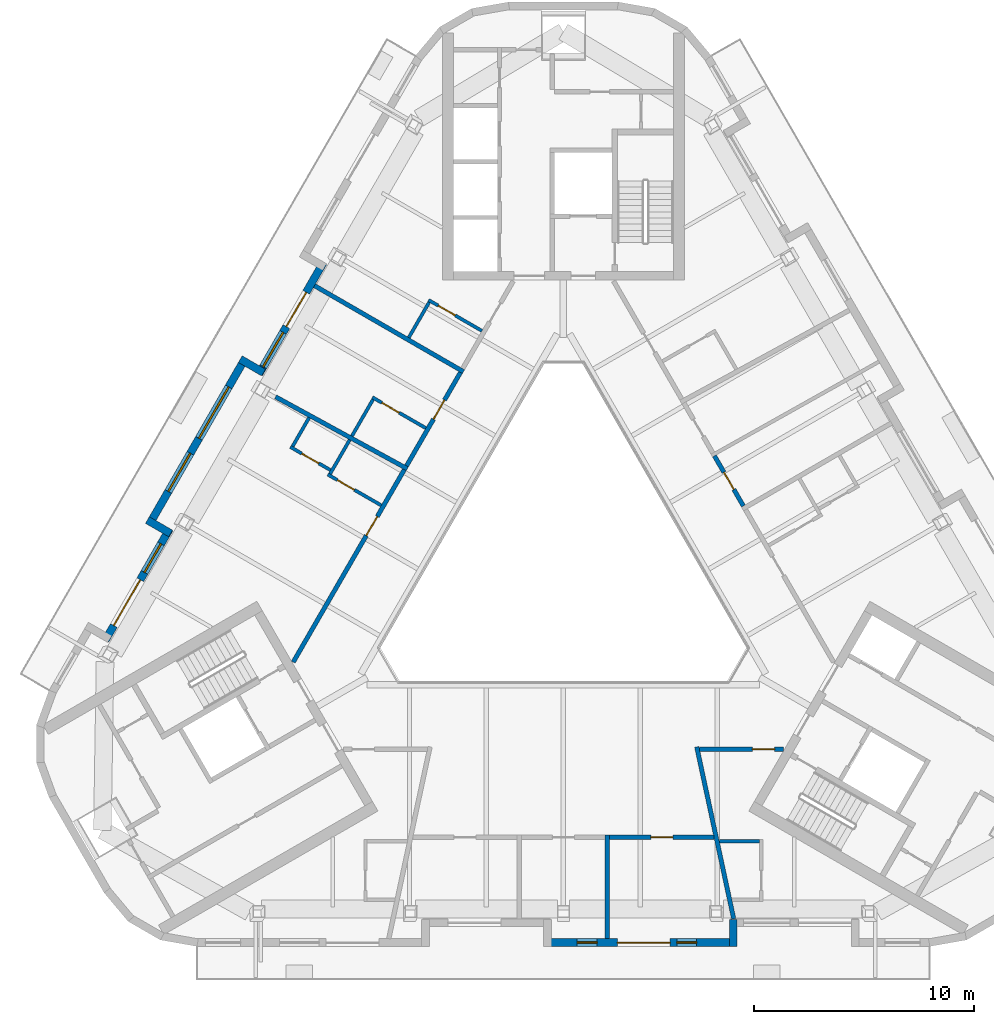
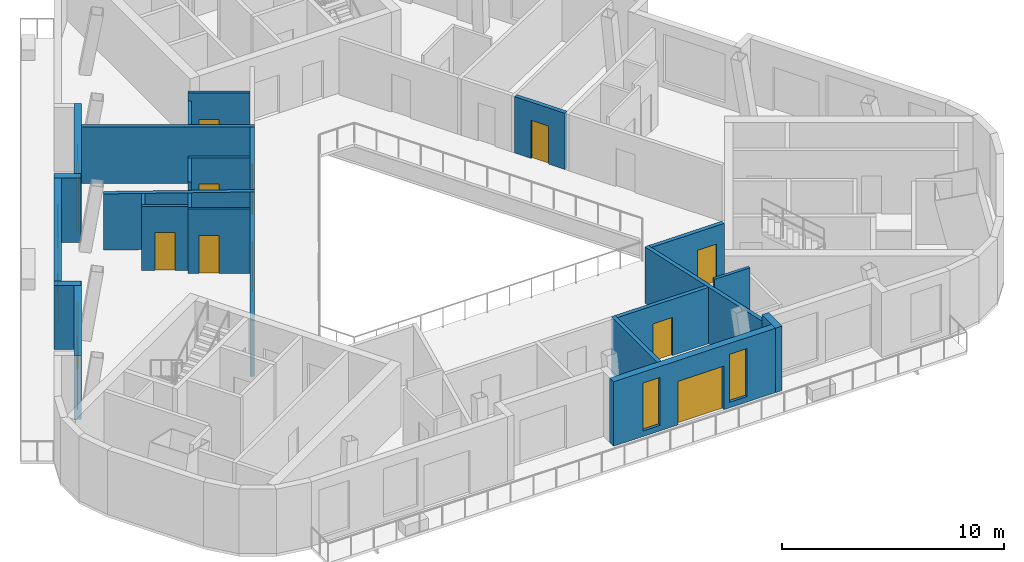
# One storey, part 4 of 13: 25 walls, 12 doors, 6 windows, 18 openings.
"""IFC4 building model written with IfcOpenShell, lengths in metres."""

from ifc_helpers import new_model, si_unit, direction, frame, frame_2d, origin, place, context, subcontext, project, spatial, rectangle, extrude, material, layer, layer_set, type_object, element, fill, save


model = new_model("IFC4")

# Units and contexts
model_context = context("Model", 3, precision=1e-05, world=origin(), true_north=direction((0.0, 1.0)))
body_context = subcontext(model_context, "Body", "Model", "MODEL_VIEW")
ifc_project = project(units=[si_unit("LENGTHUNIT", "METRE"), si_unit("AREAUNIT", "SQUARE_METRE"), si_unit("VOLUMEUNIT", "CUBIC_METRE"), si_unit("PLANEANGLEUNIT", "RADIAN"), si_unit("MASSUNIT", "GRAM", prefix="KILO")], contexts=[model_context])

# Site, building, storey
site_placement = place(None, origin())
site = spatial("IfcSite", under=ifc_project, at=site_placement, CompositionType="ELEMENT")
building_placement = place(site_placement, origin())
building = spatial("IfcBuilding", under=site, at=building_placement, Name="Apuvela Tower Hotel", CompositionType="ELEMENT")
storey_placement = place(building_placement, frame((0.0, 0.0, 298.5)))
storey = spatial("IfcBuildingStorey", under=building, at=storey_placement, Name="L74", CompositionType="ELEMENT", Elevation=298.5)

# Wall, openings, door, window
ifc_material_1 = material(Name="Concrete C40/50, dark pigmented precast panel", Category="concrete")
ifc_layer_1 = layer(ifc_material_1, 0.35009765625)
ifc_layer_set_1 = layer_set([ifc_layer_1], Name="ENV-WALL-350")
wall_type_1 = type_object("IfcWallType", Name="ENV-WALL-350", PredefinedType="SOLIDWALL", material=ifc_layer_set_1)
wall_1_placement = place(storey_placement, frame((-10.901123046875, 13.692138671875, 0.0), z_axis=(0.0, 0.0, 1.0), x_axis=(-0.499987198161, -0.866032794804, 0.0)))
wall_1 = element("IfcWall", 1, at=wall_1_placement, inside=storey, type_object=wall_type_1, Name="External wall L74-03", PredefinedType="SOLIDWALL", context=body_context, shape_type="SweptSolid", body=[
    extrude(rectangle(XDim=5.827392578125, YDim=0.35009765625, at=frame_2d((2.91357421875, 0.0))), origin(), (0.0, 0.0, 1.0), 3.550048828125),
])
opening_1_placement = place(wall_1_placement, frame((1.556884765625, 0.0, 0.0)))
opening_1 = element("IfcOpeningElement", 2, at=opening_1_placement, cuts=wall_1, Name="Opening BD18", PredefinedType="OPENING", context=body_context, shape_type="SweptSolid", body=[
    extrude(rectangle(XDim=1.800048828125, YDim=2.39990234375, at=frame_2d((0.89990234375, 1.199951171875))), frame((0.0, 0.18505859375, 0.0), z_axis=(0.0, -1.0, 0.0), x_axis=(1.0, 0.0, 0.0)), (0.0, 0.0, 1.0), 0.3701171875),
])
opening_2_placement = place(wall_1_placement, frame((3.656982421875, 0.0, 0.300048828125)))
opening_2 = element("IfcOpeningElement", 3, at=opening_2_placement, cuts=wall_1, Name="Opening WN18", PredefinedType="OPENING", context=body_context, shape_type="SweptSolid", body=[
    extrude(rectangle(XDim=1.800048828125, YDim=2.64990234375, at=frame_2d((0.89990234375, 1.324951171875))), frame((0.0, 0.18505859375, 0.0), z_axis=(0.0, -1.0, 0.0), x_axis=(1.0, 0.0, 0.0)), (0.0, 0.0, 1.0), 0.3701171875),
])
ifc_material_2 = material(Name="Aluminium 6063-T6, dark bronze anodised frame with dark tinted laminated glass", Category="aluminium")
door_type_1 = type_object("IfcDoorType", Name="ENV-DOOR-BALCONY-1800x2400", OperationType="SLIDING_TO_LEFT", PredefinedType="DOOR", material=ifc_material_2)
door_1_placement = place(opening_1_placement, frame((1.800048828125, 0.0, 0.0), z_axis=(0.0, 0.0, 1.0), x_axis=(-1.0, 0.0, 0.0)))
door_1 = element("IfcDoor", 4, at=door_1_placement, inside=storey, type_object=door_type_1, Name="Balcony door BD18", OperationType="SLIDING_TO_LEFT", OverallHeight=2.39990234375, OverallWidth=1.800048828125, PredefinedType="DOOR", context=body_context, shape_type="SweptSolid", body=[
    extrude(rectangle(XDim=1.800048828125, YDim=2.39990234375, at=frame_2d((0.89990234375, 1.199951171875))), frame((0.0, 0.02490234375, 0.0), z_axis=(0.0, -1.0, 0.0), x_axis=(1.0, 0.0, 0.0)), (0.0, 0.0, 1.0), 0.050048828125),
])
fill(opening_1, door_1)
ifc_material_3 = material(Name="Glass, dark tinted laminated insulated glazing unit", Category="glass")
window_type_1 = type_object("IfcWindowType", Name="ENV-WIN-1800x2650", PartitioningType="SINGLE_PANEL", PredefinedType="WINDOW", material=ifc_material_3)
window_1_placement = place(opening_2_placement, origin())
window_1 = element("IfcWindow", 5, at=window_1_placement, inside=storey, type_object=window_type_1, Name="Window WN18", OverallHeight=2.64990234375, OverallWidth=1.800048828125, PartitioningType="SINGLE_PANEL", PredefinedType="WINDOW", context=body_context, shape_type="SweptSolid", body=[
    extrude(rectangle(XDim=1.800048828125, YDim=2.64990234375, at=frame_2d((0.89990234375, 1.324951171875))), frame((0.0, 0.030029296875, 0.0), z_axis=(0.0, -1.0, 0.0), x_axis=(1.0, 0.0, 0.0)), (0.0, 0.0, 1.0), 0.06005859375),
])
fill(opening_2, window_1)

# Wall
wall_2_placement = place(storey_placement, frame((-13.616455078125, 8.698486328125, 0.0), z_axis=(0.0, 0.0, 1.0), x_axis=(-0.866005645448, 0.500034220881, 0.0)))
element("IfcWall", 6, at=wall_2_placement, inside=storey, type_object=wall_type_1, Name="External wall L74-04", PredefinedType="SOLIDWALL", context=body_context, shape_type="SweptSolid", body=[
    extrude(rectangle(XDim=1.22021484375, YDim=0.35009765625, at=frame_2d((0.610107421875, 0.0))), origin(), (0.0, 0.0, 1.0), 3.550048828125),
])

# Wall, openings, windows
wall_3_placement = place(storey_placement, frame((-14.43408203125, 9.372802734375, 0.0), z_axis=(0.0, 0.0, 1.0), x_axis=(-0.499999835575, -0.866025498715, 0.0)))
wall_3 = element("IfcWall", 7, at=wall_3_placement, inside=storey, type_object=wall_type_1, Name="External wall L74-05", PredefinedType="SOLIDWALL", context=body_context, shape_type="SweptSolid", body=[
    extrude(rectangle(XDim=8.787109375, YDim=0.35009765625, at=frame_2d((4.3935546875, 0.0))), origin(), (0.0, 0.0, 1.0), 3.550048828125),
])
opening_3_placement = place(wall_3_placement, frame((1.528076171875, 0.0, 0.300048828125)))
opening_3 = element("IfcOpeningElement", 8, at=opening_3_placement, cuts=wall_3, Name="Opening WN27", PredefinedType="OPENING", context=body_context, shape_type="SweptSolid", body=[
    extrude(rectangle(XDim=2.699951171875, YDim=2.64990234375, at=frame_2d((1.35009765625, 1.324951171875))), frame((0.0, 0.18505859375, 0.0), z_axis=(0.0, -1.0, 0.0), x_axis=(1.0, 0.0, 0.0)), (0.0, 0.0, 1.0), 0.3701171875),
])
opening_4_placement = place(wall_3_placement, frame((5.012939453125, 0.0, 0.300048828125)))
opening_4 = element("IfcOpeningElement", 9, at=opening_4_placement, cuts=wall_3, Name="Opening WN20", PredefinedType="OPENING", context=body_context, shape_type="SweptSolid", body=[
    extrude(rectangle(XDim=2.0, YDim=2.64990234375, at=frame_2d((1.0, 1.324951171875))), frame((0.0, 0.18505859375, 0.0), z_axis=(0.0, -1.0, 0.0), x_axis=(1.0, 0.0, 0.0)), (0.0, 0.0, 1.0), 0.3701171875),
])
window_type_2 = type_object("IfcWindowType", Name="ENV-WIN-2000x2650", PartitioningType="SINGLE_PANEL", PredefinedType="WINDOW", material=ifc_material_3)
window_2_placement = place(opening_4_placement, origin())
window_2 = element("IfcWindow", 10, at=window_2_placement, inside=storey, type_object=window_type_2, Name="Window WN20", OverallHeight=2.64990234375, OverallWidth=2.0, PartitioningType="SINGLE_PANEL", PredefinedType="WINDOW", context=body_context, shape_type="SweptSolid", body=[
    extrude(rectangle(XDim=2.0, YDim=2.64990234375, at=frame_2d((1.0, 1.324951171875))), frame((0.0, 0.030029296875, 0.0), z_axis=(0.0, -1.0, 0.0), x_axis=(1.0, 0.0, 0.0)), (0.0, 0.0, 1.0), 0.06005859375),
])
fill(opening_4, window_2)
window_type_3 = type_object("IfcWindowType", Name="ENV-WIN-2700x2650", PartitioningType="SINGLE_PANEL", PredefinedType="WINDOW", material=ifc_material_3)
window_3_placement = place(opening_3_placement, origin())
window_3 = element("IfcWindow", 11, at=window_3_placement, inside=storey, type_object=window_type_3, Name="Window WN27", OverallHeight=2.64990234375, OverallWidth=2.699951171875, PartitioningType="SINGLE_PANEL", PredefinedType="WINDOW", context=body_context, shape_type="SweptSolid", body=[
    extrude(rectangle(XDim=2.699951171875, YDim=2.64990234375, at=frame_2d((1.35009765625, 1.324951171875))), frame((0.0, 0.030029296875, 0.0), z_axis=(0.0, -1.0, 0.0), x_axis=(1.0, 0.0, 0.0)), (0.0, 0.0, 1.0), 0.06005859375),
])
fill(opening_3, window_3)

# Wall
wall_4_placement = place(storey_placement, frame((-18.8916015625, 2.001953125, 0.0), z_axis=(0.0, 0.0, 1.0), x_axis=(0.866042269935, -0.499970785833, 0.0)))
element("IfcWall", 12, at=wall_4_placement, inside=storey, type_object=wall_type_1, Name="External wall L74-06", PredefinedType="SOLIDWALL", context=body_context, shape_type="SweptSolid", body=[
    extrude(rectangle(XDim=1.2197265625, YDim=0.35009765625, at=frame_2d((0.60986328125, 0.0))), origin(), (0.0, 0.0, 1.0), 3.550048828125),
])

# Wall, openings, door, window
wall_5_placement = place(storey_placement, frame((-17.88818359375, 1.590087890625, 0.0), z_axis=(0.0, 0.0, 1.0), x_axis=(-0.499987198161, -0.866032794804, 0.0)))
wall_5 = element("IfcWall", 13, at=wall_5_placement, inside=storey, type_object=wall_type_1, Name="External wall L74-07", PredefinedType="SOLIDWALL", context=body_context, shape_type="SweptSolid", body=[
    extrude(rectangle(XDim=5.827392578125, YDim=0.35009765625, at=frame_2d((2.91357421875, 0.0))), origin(), (0.0, 0.0, 1.0), 3.550048828125),
])
opening_5_placement = place(wall_5_placement, frame((2.6572265625, 0.0, 0.0)))
opening_5 = element("IfcOpeningElement", 14, at=opening_5_placement, cuts=wall_5, Name="Opening BD24", PredefinedType="OPENING", context=body_context, shape_type="SweptSolid", body=[
    extrude(rectangle(XDim=2.39990234375, YDim=2.39990234375, at=frame_2d((1.199951171875, 1.199951171875))), frame((0.0, 0.18505859375, 0.0), z_axis=(0.0, -1.0, 0.0), x_axis=(1.0, 0.0, 0.0)), (0.0, 0.0, 1.0), 0.3701171875),
])
opening_6_placement = place(wall_5_placement, frame((0.77001953125, 0.0, 0.300048828125)))
opening_6 = element("IfcOpeningElement", 15, at=opening_6_placement, cuts=wall_5, Name="Opening WN15", PredefinedType="OPENING", context=body_context, shape_type="SweptSolid", body=[
    extrude(rectangle(XDim=1.5, YDim=2.64990234375, at=frame_2d((0.75, 1.324951171875))), frame((0.0, 0.18505859375, 0.0), z_axis=(0.0, -1.0, 0.0), x_axis=(1.0, 0.0, 0.0)), (0.0, 0.0, 1.0), 0.3701171875),
])
door_type_2 = type_object("IfcDoorType", Name="ENV-DOOR-BALCONY-2400x2400", OperationType="SLIDING_TO_LEFT", PredefinedType="DOOR", material=ifc_material_2)
door_2_placement = place(opening_5_placement, frame((2.39990234375, 0.0, 0.0), z_axis=(0.0, 0.0, 1.0), x_axis=(-1.0, 0.0, 0.0)))
door_2 = element("IfcDoor", 16, at=door_2_placement, inside=storey, type_object=door_type_2, Name="Balcony door BD24", OperationType="SLIDING_TO_LEFT", OverallHeight=2.39990234375, OverallWidth=2.39990234375, PredefinedType="DOOR", context=body_context, shape_type="SweptSolid", body=[
    extrude(rectangle(XDim=2.39990234375, YDim=2.39990234375, at=frame_2d((1.199951171875, 1.199951171875))), frame((0.0, 0.02490234375, 0.0), z_axis=(0.0, -1.0, 0.0), x_axis=(1.0, 0.0, 0.0)), (0.0, 0.0, 1.0), 0.050048828125),
])
fill(opening_5, door_2)
window_type_4 = type_object("IfcWindowType", Name="ENV-WIN-1500x2650", PartitioningType="SINGLE_PANEL", PredefinedType="WINDOW", material=ifc_material_3)
window_4_placement = place(opening_6_placement, origin())
window_4 = element("IfcWindow", 17, at=window_4_placement, inside=storey, type_object=window_type_4, Name="Window WN15", OverallHeight=2.64990234375, OverallWidth=1.5, PartitioningType="SINGLE_PANEL", PredefinedType="WINDOW", context=body_context, shape_type="SweptSolid", body=[
    extrude(rectangle(XDim=1.5, YDim=2.64990234375, at=frame_2d((0.75, 1.324951171875))), frame((0.0, 0.030029296875, 0.0), z_axis=(0.0, -1.0, 0.0), x_axis=(1.0, 0.0, 0.0)), (0.0, 0.0, 1.0), 0.06005859375),
])
fill(opening_6, window_4)

# Wall, openings, door, windows
wall_6_placement = place(storey_placement, frame((-0.89990234375, -17.1865234375, 0.0), z_axis=(0.0, 0.0, 1.0), x_axis=(1.0, 0.0, 0.0)))
wall_6 = element("IfcWall", 18, at=wall_6_placement, inside=storey, type_object=wall_type_1, Name="External wall L74-21", PredefinedType="SOLIDWALL", context=body_context, shape_type="SweptSolid", body=[
    extrude(rectangle(XDim=8.787109375, YDim=0.35009765625, at=frame_2d((4.3935546875, 0.0))), origin(), (0.0, 0.0, 1.0), 3.550048828125),
])
opening_7_placement = place(wall_6_placement, frame((1.5283203125, 0.0, 0.300048828125)))
opening_7 = element("IfcOpeningElement", 19, at=opening_7_placement, cuts=wall_6, Name="Opening WN09", PredefinedType="OPENING", context=body_context, shape_type="SweptSolid", body=[
    extrude(rectangle(XDim=0.89990234375, YDim=2.64990234375, at=frame_2d((0.449951171875, 1.324951171875))), frame((0.0, 0.18505859375, 0.0), z_axis=(0.0, -1.0, 0.0), x_axis=(1.0, 0.0, 0.0)), (0.0, 0.0, 1.0), 0.3701171875),
])
opening_8_placement = place(wall_6_placement, frame((3.349609375, 0.0, 0.0)))
opening_8 = element("IfcOpeningElement", 20, at=opening_8_placement, cuts=wall_6, Name="Opening BD24", PredefinedType="OPENING", context=body_context, shape_type="SweptSolid", body=[
    extrude(rectangle(XDim=2.39990234375, YDim=2.39990234375, at=frame_2d((1.199951171875, 1.199951171875))), frame((0.0, 0.18505859375, 0.0), z_axis=(0.0, -1.0, 0.0), x_axis=(1.0, 0.0, 0.0)), (0.0, 0.0, 1.0), 0.3701171875),
])
opening_9_placement = place(wall_6_placement, frame((6.049560546875, 0.0, 0.300048828125)))
opening_9 = element("IfcOpeningElement", 21, at=opening_9_placement, cuts=wall_6, Name="Opening WN09", PredefinedType="OPENING", context=body_context, shape_type="SweptSolid", body=[
    extrude(rectangle(XDim=0.89990234375, YDim=2.64990234375, at=frame_2d((0.449951171875, 1.324951171875))), frame((0.0, 0.18505859375, 0.0), z_axis=(0.0, -1.0, 0.0), x_axis=(1.0, 0.0, 0.0)), (0.0, 0.0, 1.0), 0.3701171875),
])
door_3_placement = place(opening_8_placement, frame((2.39990234375, 0.0, 0.0), z_axis=(0.0, 0.0, 1.0), x_axis=(-1.0, 0.0, 0.0)))
door_3 = element("IfcDoor", 22, at=door_3_placement, inside=storey, type_object=door_type_2, Name="Balcony door BD24", OperationType="SLIDING_TO_LEFT", OverallHeight=2.39990234375, OverallWidth=2.39990234375, PredefinedType="DOOR", context=body_context, shape_type="SweptSolid", body=[
    extrude(rectangle(XDim=2.39990234375, YDim=2.39990234375, at=frame_2d((1.199951171875, 1.199951171875))), frame((0.0, 0.02490234375, 0.0), z_axis=(0.0, -1.0, 0.0), x_axis=(1.0, 0.0, 0.0)), (0.0, 0.0, 1.0), 0.050048828125),
])
fill(opening_8, door_3)
window_type_5 = type_object("IfcWindowType", Name="ENV-WIN-900x2650", PartitioningType="SINGLE_PANEL", PredefinedType="WINDOW", material=ifc_material_3)
window_5_placement = place(opening_7_placement, origin())
window_5 = element("IfcWindow", 23, at=window_5_placement, inside=storey, type_object=window_type_5, Name="Window WN09", OverallHeight=2.64990234375, OverallWidth=0.89990234375, PartitioningType="SINGLE_PANEL", PredefinedType="WINDOW", context=body_context, shape_type="SweptSolid", body=[
    extrude(rectangle(XDim=0.89990234375, YDim=2.64990234375, at=frame_2d((0.449951171875, 1.324951171875))), frame((0.0, 0.030029296875, 0.0), z_axis=(0.0, -1.0, 0.0), x_axis=(1.0, 0.0, 0.0)), (0.0, 0.0, 1.0), 0.06005859375),
])
fill(opening_7, window_5)
window_6_placement = place(opening_9_placement, origin())
window_6 = element("IfcWindow", 24, at=window_6_placement, inside=storey, type_object=window_type_5, Name="Window WN09", OverallHeight=2.64990234375, OverallWidth=0.89990234375, PartitioningType="SINGLE_PANEL", PredefinedType="WINDOW", context=body_context, shape_type="SweptSolid", body=[
    extrude(rectangle(XDim=0.89990234375, YDim=2.64990234375, at=frame_2d((0.449951171875, 1.324951171875))), frame((0.0, 0.030029296875, 0.0), z_axis=(0.0, -1.0, 0.0), x_axis=(1.0, 0.0, 0.0)), (0.0, 0.0, 1.0), 0.06005859375),
])
fill(opening_9, window_6)

# Walls
wall_7_placement = place(storey_placement, frame((7.712158203125, -17.361572265625, 0.0), z_axis=(0.0, 0.0, 1.0), x_axis=(0.0, 1.0, 0.0)))
element("IfcWall", 25, at=wall_7_placement, inside=storey, type_object=wall_type_1, Name="External wall L74-22", PredefinedType="SOLIDWALL", context=body_context, shape_type="SweptSolid", body=[
    extrude(rectangle(XDim=1.219970703125, YDim=0.35009765625, at=frame_2d((0.60986328125, 0.0))), origin(), (0.0, 0.0, 1.0), 3.550048828125),
])
ifc_material_4 = material(Name="Gypsum board partition on twin steel stud", Category="steel")
ifc_layer_2 = layer(ifc_material_4, 0.199951171875)
ifc_layer_set_2 = layer_set([ifc_layer_2], Name="GST-PW1")
wall_type_2 = type_object("IfcWallType", Name="GST-PW1", PredefinedType="PARTITIONING", material=ifc_layer_set_2)
wall_8_placement = place(storey_placement, frame((2.0, -17.01171875, 0.0), z_axis=(0.0, 0.0, 1.0), x_axis=(0.0, 1.0, 0.0)))
element("IfcWall", 26, at=wall_8_placement, inside=storey, type_object=wall_type_2, Name="L74 partition 03", PredefinedType="PARTITIONING", context=body_context, shape_type="SweptSolid", body=[
    extrude(rectangle(XDim=4.7001953125, YDim=0.199951171875, at=frame_2d((2.35009765625, 0.0))), origin(), (0.0, 0.0, 1.0), 3.10009765625),
])
wall_9_placement = place(storey_placement, frame((7.736572265625, -16.111572265625, 0.0), z_axis=(0.0, 0.0, 1.0), x_axis=(-0.210221826162, 0.977653713646, 0.0)))
element("IfcWall", 27, at=wall_9_placement, inside=storey, type_object=wall_type_2, Name="L74 partition 04", PredefinedType="PARTITIONING", context=body_context, shape_type="SweptSolid", body=[
    extrude(rectangle(XDim=7.989990234375, YDim=0.199951171875, at=frame_2d((3.9951171875, 0.0))), origin(), (0.0, 0.0, 1.0), 3.10009765625),
])
wall_10_placement = place(storey_placement, frame((-11.302978515625, 12.645751953125, 0.0), z_axis=(0.0, 0.0, 1.0), x_axis=(0.866022678253, -0.500004720729, 0.0)))
element("IfcWall", 28, at=wall_10_placement, inside=storey, type_object=wall_type_2, Name="L74 partition 07", PredefinedType="PARTITIONING", context=body_context, shape_type="SweptSolid", body=[
    extrude(rectangle(XDim=7.8115234375, YDim=0.199951171875, at=frame_2d((3.90576171875, 0.0))), origin(), (0.0, 0.0, 1.0), 3.10009765625),
])
wall_11_placement = place(storey_placement, frame((-13.06884765625, 7.5966796875, 0.0), z_axis=(0.0, 0.0, 1.0), x_axis=(0.877540903987, -0.479501785012, 0.0)))
element("IfcWall", 29, at=wall_11_placement, inside=storey, type_object=wall_type_2, Name="L74 partition 08", PredefinedType="PARTITIONING", context=body_context, shape_type="SweptSolid", body=[
    extrude(rectangle(XDim=6.818115234375, YDim=0.199951171875, at=frame_2d((3.4091796875, 0.0))), origin(), (0.0, 0.0, 1.0), 3.10009765625),
])

# Wall, opening, door
ifc_material_5 = material(Name="Gypsum board corridor wall on twin steel stud, acoustic", Category="steel")
ifc_layer_3 = layer(ifc_material_5, 0.199951171875)
ifc_layer_set_3 = layer_set([ifc_layer_3], Name="GST-PW2")
wall_type_3 = type_object("IfcWallType", Name="GST-PW2", PredefinedType="PARTITIONING", material=ifc_layer_set_3)
wall_12_placement = place(storey_placement, frame((6.838623046875, -12.41162109375, 0.0), z_axis=(0.0, 0.0, 1.0), x_axis=(-1.0, 0.0, 0.0)))
wall_12 = element("IfcWall", 30, at=wall_12_placement, inside=storey, type_object=wall_type_3, Name="L74 partition 15", PredefinedType="PARTITIONING", context=body_context, shape_type="SweptSolid", body=[
    extrude(rectangle(XDim=4.738525390625, YDim=0.199951171875, at=frame_2d((2.369140625, 0.0))), origin(), (0.0, 0.0, 1.0), 3.10009765625),
])
opening_10_placement = place(wall_12_placement, frame((1.869384765625, 0.0, 0.0)))
opening_10 = element("IfcOpeningElement", 31, at=opening_10_placement, cuts=wall_12, Name="Opening GD30-05", PredefinedType="OPENING", context=body_context, shape_type="SweptSolid", body=[
    extrude(rectangle(XDim=1.0, YDim=2.10009765625, at=frame_2d((0.5, 1.050048828125))), frame((0.0, 0.10986328125, 0.0), z_axis=(0.0, -1.0, 0.0), x_axis=(1.0, 0.0, 0.0)), (0.0, 0.0, 1.0), 0.219970703125),
])
ifc_material_6 = material(Name="Timber door leaf in steel frame", Category="steel")
door_type_3 = type_object("IfcDoorType", Name="GST-D1", OperationType="NOTDEFINED", PredefinedType="DOOR", material=ifc_material_6)
door_4_placement = place(opening_10_placement, origin())
door_4 = element("IfcDoor", 32, at=door_4_placement, inside=storey, type_object=door_type_3, Name="Door L74-05", OperationType="SINGLE_SWING_LEFT", OverallHeight=2.10009765625, OverallWidth=1.0, PredefinedType="DOOR", context=body_context, shape_type="SweptSolid", body=[
    extrude(rectangle(XDim=1.0, YDim=2.10009765625, at=frame_2d((0.5, 1.050048828125))), frame((0.0, 0.02490234375, 0.0), z_axis=(0.0, -1.0, 0.0), x_axis=(1.0, 0.0, 0.0)), (0.0, 0.0, 1.0), 0.050048828125),
])
fill(opening_10, door_4)

wall_13_placement = place(storey_placement, frame((9.98828125, -8.39990234375, 0.0), z_axis=(0.0, 0.0, 1.0), x_axis=(-1.0, 0.0, 0.0)))
wall_13 = element("IfcWall", 33, at=wall_13_placement, inside=storey, type_object=wall_type_3, Name="L74 partition 16", PredefinedType="PARTITIONING", context=body_context, shape_type="SweptSolid", body=[
    extrude(rectangle(XDim=3.807373046875, YDim=0.199951171875, at=frame_2d((1.90380859375, 0.0))), origin(), (0.0, 0.0, 1.0), 3.10009765625),
])
opening_11_placement = place(wall_13_placement, frame((0.39990234375, 0.0, 0.0)))
opening_11 = element("IfcOpeningElement", 34, at=opening_11_placement, cuts=wall_13, Name="Opening GD30-07", PredefinedType="OPENING", context=body_context, shape_type="SweptSolid", body=[
    extrude(rectangle(XDim=1.0, YDim=2.10009765625, at=frame_2d((0.5, 1.050048828125))), frame((0.0, 0.10986328125, 0.0), z_axis=(0.0, -1.0, 0.0), x_axis=(1.0, 0.0, 0.0)), (0.0, 0.0, 1.0), 0.219970703125),
])
door_5_placement = place(opening_11_placement, origin())
door_5 = element("IfcDoor", 35, at=door_5_placement, inside=storey, type_object=door_type_3, Name="Door L74-07", OperationType="SINGLE_SWING_LEFT", OverallHeight=2.10009765625, OverallWidth=1.0, PredefinedType="DOOR", context=body_context, shape_type="SweptSolid", body=[
    extrude(rectangle(XDim=1.0, YDim=2.10009765625, at=frame_2d((0.5, 1.050048828125))), frame((0.0, 0.02490234375, 0.0), z_axis=(0.0, -1.0, 0.0), x_axis=(1.0, 0.0, 0.0)), (0.0, 0.0, 1.0), 0.050048828125),
])
fill(opening_11, door_5)

wall_14_placement = place(storey_placement, frame((6.861572265625, 4.91552734375, 0.0), z_axis=(0.0, 0.0, 1.0), x_axis=(0.499958506883, -0.866049358521, 0.0)))
wall_14 = element("IfcWall", 36, at=wall_14_placement, inside=storey, type_object=wall_type_3, Name="L74 partition 26", PredefinedType="PARTITIONING", context=body_context, shape_type="SweptSolid", body=[
    extrude(rectangle(XDim=2.626220703125, YDim=0.199951171875, at=frame_2d((1.31298828125, 0.0))), origin(), (0.0, 0.0, 1.0), 3.10009765625),
])
opening_12_placement = place(wall_14_placement, frame((0.863037109375, 0.0, 0.0)))
opening_12 = element("IfcOpeningElement", 37, at=opening_12_placement, cuts=wall_14, Name="Opening GD30-11", PredefinedType="OPENING", context=body_context, shape_type="SweptSolid", body=[
    extrude(rectangle(XDim=0.89990234375, YDim=2.10009765625, at=frame_2d((0.449951171875, 1.050048828125))), frame((0.0, 0.10986328125, 0.0), z_axis=(0.0, -1.0, 0.0), x_axis=(1.0, 0.0, 0.0)), (0.0, 0.0, 1.0), 0.219970703125),
])
door_type_4 = type_object("IfcDoorType", Name="GST-D2", OperationType="NOTDEFINED", PredefinedType="DOOR", material=ifc_material_6)
door_6_placement = place(opening_12_placement, origin())
door_6 = element("IfcDoor", 38, at=door_6_placement, inside=storey, type_object=door_type_4, Name="Door L74-11", OperationType="SINGLE_SWING_LEFT", OverallHeight=2.10009765625, OverallWidth=0.89990234375, PredefinedType="DOOR", context=body_context, shape_type="SweptSolid", body=[
    extrude(rectangle(XDim=0.89990234375, YDim=2.10009765625, at=frame_2d((0.449951171875, 1.050048828125))), frame((0.0, 0.02490234375, 0.0), z_axis=(0.0, -1.0, 0.0), x_axis=(1.0, 0.0, 0.0)), (0.0, 0.0, 1.0), 0.050048828125),
])
fill(opening_12, door_6)

wall_15_placement = place(storey_placement, frame((-7.123291015625, 4.4619140625, 0.0), z_axis=(0.0, 0.0, 1.0), x_axis=(0.499988551067, 0.866032013728, 0.0)))
wall_15 = element("IfcWall", 39, at=wall_15_placement, inside=storey, type_object=wall_type_3, Name="L74 partition 34", PredefinedType="PARTITIONING", context=body_context, shape_type="SweptSolid", body=[
    extrude(rectangle(XDim=4.8974609375, YDim=0.199951171875, at=frame_2d((2.44873046875, 0.0))), origin(), (0.0, 0.0, 1.0), 3.10009765625),
])
opening_13_placement = place(wall_15_placement, frame((2.447509765625, 0.0, 0.0)))
opening_13 = element("IfcOpeningElement", 40, at=opening_13_placement, cuts=wall_15, Name="Opening GD30-18", PredefinedType="OPENING", context=body_context, shape_type="SweptSolid", body=[
    extrude(rectangle(XDim=1.0, YDim=2.10009765625, at=frame_2d((0.5, 1.050048828125))), frame((0.0, 0.10986328125, 0.0), z_axis=(0.0, -1.0, 0.0), x_axis=(1.0, 0.0, 0.0)), (0.0, 0.0, 1.0), 0.219970703125),
])
door_7_placement = place(opening_13_placement, origin())
door_7 = element("IfcDoor", 41, at=door_7_placement, inside=storey, type_object=door_type_3, Name="Door L74-18", OperationType="SINGLE_SWING_RIGHT", OverallHeight=2.10009765625, OverallWidth=1.0, PredefinedType="DOOR", context=body_context, shape_type="SweptSolid", body=[
    extrude(rectangle(XDim=1.0, YDim=2.10009765625, at=frame_2d((0.5, 1.050048828125))), frame((0.0, 0.02490234375, 0.0), z_axis=(0.0, -1.0, 0.0), x_axis=(1.0, 0.0, 0.0)), (0.0, 0.0, 1.0), 0.050048828125),
])
fill(opening_13, door_7)

wall_16_placement = place(storey_placement, frame((-12.268798828125, -4.449951171875, 0.0), z_axis=(0.0, 0.0, 1.0), x_axis=(0.500016364551, 0.8660159555, 0.0)))
wall_16 = element("IfcWall", 42, at=wall_16_placement, inside=storey, type_object=wall_type_3, Name="L74 partition 37", PredefinedType="PARTITIONING", context=body_context, shape_type="SweptSolid", body=[
    extrude(rectangle(XDim=10.090576171875, YDim=0.199951171875, at=frame_2d((5.04541015625, 0.0))), origin(), (0.0, 0.0, 1.0), 3.10009765625),
])
opening_14_placement = place(wall_16_placement, frame((6.63818359375, 0.0, 0.0)))
opening_14 = element("IfcOpeningElement", 43, at=opening_14_placement, cuts=wall_16, Name="Opening GD30-21", PredefinedType="OPENING", context=body_context, shape_type="SweptSolid", body=[
    extrude(rectangle(XDim=1.0, YDim=2.10009765625, at=frame_2d((0.5, 1.050048828125))), frame((0.0, 0.10986328125, 0.0), z_axis=(0.0, -1.0, 0.0), x_axis=(1.0, 0.0, 0.0)), (0.0, 0.0, 1.0), 0.219970703125),
])
door_8_placement = place(opening_14_placement, origin())
door_8 = element("IfcDoor", 44, at=door_8_placement, inside=storey, type_object=door_type_3, Name="Door L74-21", OperationType="SINGLE_SWING_LEFT", OverallHeight=2.10009765625, OverallWidth=1.0, PredefinedType="DOOR", context=body_context, shape_type="SweptSolid", body=[
    extrude(rectangle(XDim=1.0, YDim=2.10009765625, at=frame_2d((0.5, 1.050048828125))), frame((0.0, 0.02490234375, 0.0), z_axis=(0.0, -1.0, 0.0), x_axis=(1.0, 0.0, 0.0)), (0.0, 0.0, 1.0), 0.050048828125),
])
fill(opening_14, door_8)

# Wall
ifc_material_7 = material(Name="Moisture-resistant gypsum board wet wall on steel stud", Category="steel")
ifc_layer_4 = layer(ifc_material_7, 0.14990234375)
ifc_layer_set_4 = layer_set([ifc_layer_4], Name="GST-PW3")
wall_type_4 = type_object("IfcWallType", Name="GST-PW3", PredefinedType="PARTITIONING", material=ifc_layer_set_4)
wall_17_placement = place(storey_placement, frame((7.080810546875, -12.586669921875, 0.0), z_axis=(0.0, 0.0, 1.0), x_axis=(1.0, 0.0, 0.0)))
element("IfcWall", 45, at=wall_17_placement, inside=storey, type_object=wall_type_4, Name="L74 partition 19", PredefinedType="PARTITIONING", context=body_context, shape_type="SweptSolid", body=[
    extrude(rectangle(XDim=1.833984375, YDim=0.14990234375, at=frame_2d((0.9169921875, 0.0))), origin(), (0.0, 0.0, 1.0), 3.550048828125),
])

# Wall, opening, door
wall_18_placement = place(storey_placement, frame((-3.69873046875, 10.593505859375, 0.0), z_axis=(0.0, 0.0, 1.0), x_axis=(-0.865996816683, 0.500049511043, 0.0)))
wall_18 = element("IfcWall", 46, at=wall_18_placement, inside=storey, type_object=wall_type_4, Name="L74 partition 32", PredefinedType="PARTITIONING", context=body_context, shape_type="SweptSolid", body=[
    extrude(rectangle(XDim=2.800048828125, YDim=0.14990234375, at=frame_2d((1.39990234375, 0.0))), origin(), (0.0, 0.0, 1.0), 3.550048828125),
])
opening_15_placement = place(wall_18_placement, frame((1.39990234375, 0.0, 0.0)))
opening_15 = element("IfcOpeningElement", 47, at=opening_15_placement, cuts=wall_18, Name="Opening GD30-15", PredefinedType="OPENING", context=body_context, shape_type="SweptSolid", body=[
    extrude(rectangle(XDim=0.89990234375, YDim=2.10009765625, at=frame_2d((0.449951171875, 1.050048828125))), frame((0.0, 0.0849609375, 0.0), z_axis=(0.0, -1.0, 0.0), x_axis=(1.0, 0.0, 0.0)), (0.0, 0.0, 1.0), 0.169921875),
])
door_9_placement = place(opening_15_placement, origin())
door_9 = element("IfcDoor", 48, at=door_9_placement, inside=storey, type_object=door_type_4, Name="Door L74-15", OperationType="SINGLE_SWING_RIGHT", OverallHeight=2.10009765625, OverallWidth=0.89990234375, PredefinedType="DOOR", context=body_context, shape_type="SweptSolid", body=[
    extrude(rectangle(XDim=0.89990234375, YDim=2.10009765625, at=frame_2d((0.449951171875, 1.050048828125))), frame((0.0, 0.02490234375, 0.0), z_axis=(0.0, -1.0, 0.0), x_axis=(1.0, 0.0, 0.0)), (0.0, 0.0, 1.0), 0.050048828125),
])
fill(opening_15, door_9)

# Wall
wall_19_placement = place(storey_placement, frame((-6.09619140625, 11.89111328125, 0.0), z_axis=(0.0, 0.0, 1.0), x_axis=(-0.49994333299, -0.866058118026, 0.0)))
element("IfcWall", 49, at=wall_19_placement, inside=storey, type_object=wall_type_4, Name="L74 partition 33", PredefinedType="PARTITIONING", context=body_context, shape_type="SweptSolid", body=[
    extrude(rectangle(XDim=1.849853515625, YDim=0.14990234375, at=frame_2d((0.9248046875, 0.0))), origin(), (0.0, 0.0, 1.0), 3.10009765625),
])

# Wall, opening, door
wall_20_placement = place(storey_placement, frame((-6.248779296875, 6.177001953125, 0.0), z_axis=(0.0, 0.0, 1.0), x_axis=(-0.866034573852, 0.49998411664, 0.0)))
wall_20 = element("IfcWall", 50, at=wall_20_placement, inside=storey, type_object=wall_type_4, Name="L74 partition 35", PredefinedType="PARTITIONING", context=body_context, shape_type="SweptSolid", body=[
    extrude(rectangle(XDim=2.7998046875, YDim=0.14990234375, at=frame_2d((1.39990234375, 0.0))), origin(), (0.0, 0.0, 1.0), 3.550048828125),
])
opening_16_placement = place(wall_20_placement, frame((1.39990234375, 0.0, 0.0)))
opening_16 = element("IfcOpeningElement", 51, at=opening_16_placement, cuts=wall_20, Name="Opening GD30-17", PredefinedType="OPENING", context=body_context, shape_type="SweptSolid", body=[
    extrude(rectangle(XDim=0.89990234375, YDim=2.10009765625, at=frame_2d((0.449951171875, 1.050048828125))), frame((0.0, 0.0849609375, 0.0), z_axis=(0.0, -1.0, 0.0), x_axis=(1.0, 0.0, 0.0)), (0.0, 0.0, 1.0), 0.169921875),
])
door_10_placement = place(opening_16_placement, origin())
door_10 = element("IfcDoor", 52, at=door_10_placement, inside=storey, type_object=door_type_4, Name="Door L74-17", OperationType="SINGLE_SWING_RIGHT", OverallHeight=2.10009765625, OverallWidth=0.89990234375, PredefinedType="DOOR", context=body_context, shape_type="SweptSolid", body=[
    extrude(rectangle(XDim=0.89990234375, YDim=2.10009765625, at=frame_2d((0.449951171875, 1.050048828125))), frame((0.0, 0.02490234375, 0.0), z_axis=(0.0, -1.0, 0.0), x_axis=(1.0, 0.0, 0.0)), (0.0, 0.0, 1.0), 0.050048828125),
])
fill(opening_16, door_10)

# Wall
wall_21_placement = place(storey_placement, frame((-8.64599609375, 7.474609375, 0.0), z_axis=(0.0, 0.0, 1.0), x_axis=(-0.499980071345, -0.866036909293, 0.0)))
element("IfcWall", 53, at=wall_21_placement, inside=storey, type_object=wall_type_4, Name="L74 partition 36", PredefinedType="PARTITIONING", context=body_context, shape_type="SweptSolid", body=[
    extrude(rectangle(XDim=1.9140625, YDim=0.14990234375, at=frame_2d((0.95703125, 0.0))), origin(), (0.0, 0.0, 1.0), 3.550048828125),
])

# Wall, opening, door
wall_22_placement = place(storey_placement, frame((-10.698486328125, 4.069580078125, 0.0), z_axis=(0.0, 0.0, 1.0), x_axis=(0.865996816683, -0.500049511043, 0.0)))
wall_22 = element("IfcWall", 54, at=wall_22_placement, inside=storey, type_object=wall_type_4, Name="L74 partition 38", PredefinedType="PARTITIONING", context=body_context, shape_type="SweptSolid", body=[
    extrude(rectangle(XDim=2.800048828125, YDim=0.14990234375, at=frame_2d((1.39990234375, 0.0))), origin(), (0.0, 0.0, 1.0), 3.550048828125),
])
opening_17_placement = place(wall_22_placement, frame((0.5, 0.0, 0.0)))
opening_17 = element("IfcOpeningElement", 55, at=opening_17_placement, cuts=wall_22, Name="Opening GD30-19", PredefinedType="OPENING", context=body_context, shape_type="SweptSolid", body=[
    extrude(rectangle(XDim=0.89990234375, YDim=2.10009765625, at=frame_2d((0.449951171875, 1.050048828125))), frame((0.0, 0.0849609375, 0.0), z_axis=(0.0, -1.0, 0.0), x_axis=(1.0, 0.0, 0.0)), (0.0, 0.0, 1.0), 0.169921875),
])
door_11_placement = place(opening_17_placement, origin())
door_11 = element("IfcDoor", 56, at=door_11_placement, inside=storey, type_object=door_type_4, Name="Door L74-19", OperationType="SINGLE_SWING_LEFT", OverallHeight=2.10009765625, OverallWidth=0.89990234375, PredefinedType="DOOR", context=body_context, shape_type="SweptSolid", body=[
    extrude(rectangle(XDim=0.89990234375, YDim=2.10009765625, at=frame_2d((0.449951171875, 1.050048828125))), frame((0.0, 0.02490234375, 0.0), z_axis=(0.0, -1.0, 0.0), x_axis=(1.0, 0.0, 0.0)), (0.0, 0.0, 1.0), 0.050048828125),
])
fill(opening_17, door_11)

# Wall
wall_23_placement = place(storey_placement, frame((-9.703125, 5.6435546875, 0.0), z_axis=(0.0, 0.0, 1.0), x_axis=(-0.500049831026, -0.865996631917, 0.0)))
element("IfcWall", 57, at=wall_23_placement, inside=storey, type_object=wall_type_4, Name="L74 partition 39", PredefinedType="PARTITIONING", context=body_context, shape_type="SweptSolid", body=[
    extrude(rectangle(XDim=1.785888671875, YDim=0.14990234375, at=frame_2d((0.89306640625, 0.0))), origin(), (0.0, 0.0, 1.0), 3.10009765625),
])

# Wall, opening, door
wall_24_placement = place(storey_placement, frame((-12.400146484375, 5.322265625, 0.0), z_axis=(0.0, 0.0, 1.0), x_axis=(0.866009402589, -0.500027713859, 0.0)))
wall_24 = element("IfcWall", 58, at=wall_24_placement, inside=storey, type_object=wall_type_4, Name="L74 partition 40", PredefinedType="PARTITIONING", context=body_context, shape_type="SweptSolid", body=[
    extrude(rectangle(XDim=2.10009765625, YDim=0.14990234375, at=frame_2d((1.050048828125, 0.0))), origin(), (0.0, 0.0, 1.0), 3.550048828125),
])
opening_18_placement = place(wall_24_placement, frame((0.60009765625, 0.0, 0.0)))
opening_18 = element("IfcOpeningElement", 59, at=opening_18_placement, cuts=wall_24, Name="Opening GD30-20", PredefinedType="OPENING", context=body_context, shape_type="SweptSolid", body=[
    extrude(rectangle(XDim=0.89990234375, YDim=2.10009765625, at=frame_2d((0.449951171875, 1.050048828125))), frame((0.0, 0.0849609375, 0.0), z_axis=(0.0, -1.0, 0.0), x_axis=(1.0, 0.0, 0.0)), (0.0, 0.0, 1.0), 0.169921875),
])
door_12_placement = place(opening_18_placement, origin())
door_12 = element("IfcDoor", 60, at=door_12_placement, inside=storey, type_object=door_type_4, Name="Door L74-20", OperationType="SINGLE_SWING_LEFT", OverallHeight=2.10009765625, OverallWidth=0.89990234375, PredefinedType="DOOR", context=body_context, shape_type="SweptSolid", body=[
    extrude(rectangle(XDim=0.89990234375, YDim=2.10009765625, at=frame_2d((0.449951171875, 1.050048828125))), frame((0.0, 0.02490234375, 0.0), z_axis=(0.0, -1.0, 0.0), x_axis=(1.0, 0.0, 0.0)), (0.0, 0.0, 1.0), 0.050048828125),
])
fill(opening_18, door_12)

# Wall
wall_25_placement = place(storey_placement, frame((-11.54638671875, 6.65087890625, 0.0), z_axis=(0.0, 0.0, 1.0), x_axis=(-0.500036614457, -0.866004263386, 0.0)))
element("IfcWall", 61, at=wall_25_placement, inside=storey, type_object=wall_type_4, Name="L74 partition 41", PredefinedType="PARTITIONING", context=body_context, shape_type="SweptSolid", body=[
    extrude(rectangle(XDim=1.50244140625, YDim=0.14990234375, at=frame_2d((0.751220703125, 0.0))), origin(), (0.0, 0.0, 1.0), 3.10009765625),
])

save(model, "model.ifc")
